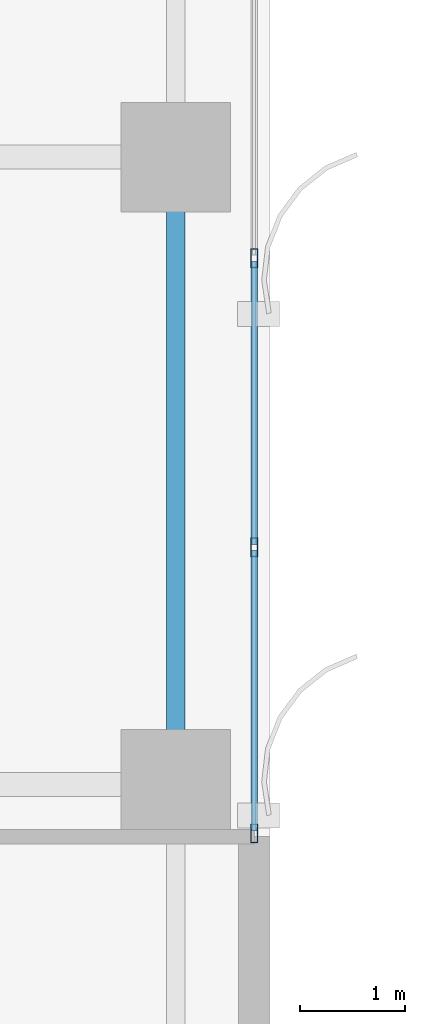
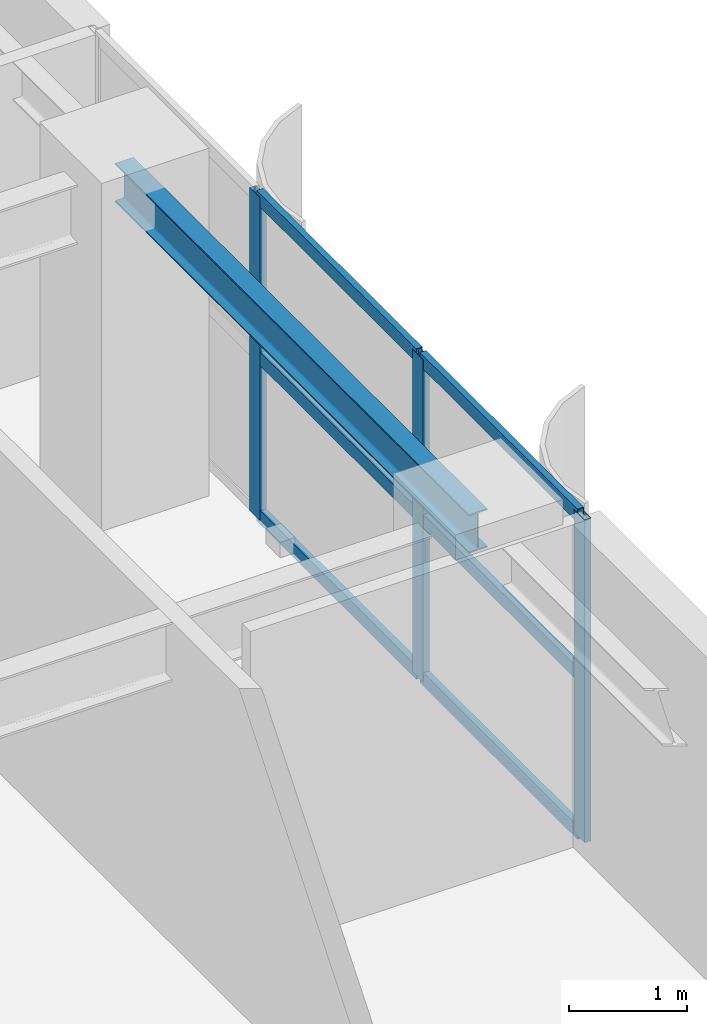
# One storey, part 7 of 21: 9 members, 1 beam, 1 element without a shape of its own.
"""IFC4 building model written with IfcOpenShell, lengths in metres."""

from ifc_helpers import new_model, si_unit, direction, frame, origin, origin_2d, place, context, subcontext, project, spatial, hollow_rectangle, i_section, extrude, source, transform, mapped, material, layer, layer_set, material_profile, profile_set, type_object, element, aggregate, save


model = new_model("IFC4")

# Units and contexts
model_context = context("Model", 3, precision=1e-05, world=origin(), true_north=direction((0.0, 1.0)))
body_context = subcontext(model_context, "Body", "Model", "MODEL_VIEW")
ifc_project = project(units=[si_unit("LENGTHUNIT", "METRE"), si_unit("AREAUNIT", "SQUARE_METRE"), si_unit("VOLUMEUNIT", "CUBIC_METRE"), si_unit("PLANEANGLEUNIT", "RADIAN"), si_unit("MASSUNIT", "GRAM", prefix="KILO")], contexts=[model_context])

# Site, building, storey
site_placement = place(None, origin())
site = spatial("IfcSite", under=ifc_project, at=site_placement, CompositionType="ELEMENT")
building_placement = place(site_placement, origin())
building = spatial("IfcBuilding", under=site, at=building_placement, Name="Khoralis Quay Care Tower", CompositionType="ELEMENT")
storey_placement = place(building_placement, frame((0.0, 0.0, 112.5)))
storey = spatial("IfcBuildingStorey", under=building, at=storey_placement, Name="L29", CompositionType="ELEMENT", Elevation=112.5)

# Beam
ifc_material_1 = material(Name="Steel S355", Category="steel")
ifc_material_profile_1 = material_profile(ifc_material_1, i_section(OverallWidth=0.179931640625, OverallDepth=0.39990234375, WebThickness=0.008544921875, FlangeThickness=0.013427734375, FilletRadius=0.02099609375, at=origin_2d()), Name="Steel S355")
ifc_profile_set_1 = profile_set([ifc_material_profile_1], Name="Steel S355")
beam_type = type_object("IfcBeamType", Name="BM-IPE400", PredefinedType="SPANDREL", material=ifc_profile_set_1)
shared_shape_1 = source(origin(), body_context, "Body", "SweptSolid", [
    extrude(i_section(OverallWidth=0.179931640625, OverallDepth=0.39990234375, WebThickness=0.008544921875, FlangeThickness=0.013427734375, FilletRadius=0.02099609375, at=origin_2d()), origin(), (0.0, 0.0, 1.0), 6.0),
])
beam_placement = place(storey_placement, frame((44.10009765625, 18.0, 3.139892578125), z_axis=(0.0, 1.0, 0.0), x_axis=(-1.0, 0.0, 0.0)))
element("IfcBeam", 1, at=beam_placement, inside=storey, type_object=beam_type, Name="BM-TSP-L29-18", PredefinedType="SPANDREL", context=body_context, shape_type="MappedRepresentation", body=[
    mapped(shared_shape_1, transform((0.0, 0.0, 0.0), scale=1.0)),
])

# Curtain wall, members
ifc_material_2 = material(Name="Pale anodised aluminium", Category="aluminium")
ifc_layer = layer(ifc_material_2, 0.169921875)
ifc_layer_set = layer_set([ifc_layer], Name="Pale anodised aluminium")
curtain_wall_type = type_object("IfcCurtainWallType", Name="CW-SYS-Z2", PredefinedType="NOTDEFINED", material=ifc_layer_set)
curtain_wall_placement = place(storey_placement, origin())
curtain_wall = element("IfcCurtainWall", 2, at=curtain_wall_placement, inside=storey, type_object=curtain_wall_type, Name="L29 Unitised Curtain Wall CW-L29-P1-E5", PredefinedType="NOTDEFINED")
ifc_material_profile_2 = material_profile(ifc_material_2, hollow_rectangle(XDim=0.06494140625, YDim=0.179931640625, WallThickness=0.00390625, at=origin_2d()), Name="Pale anodised aluminium")
ifc_profile_set_2 = profile_set([ifc_material_profile_2], Name="Pale anodised aluminium")
member_type_1 = type_object("IfcMemberType", Name="CW-MUL-180", PredefinedType="MULLION", material=ifc_profile_set_2)
shared_shape_2 = source(origin(), body_context, "Body", "SweptSolid", [
    extrude(hollow_rectangle(XDim=0.06494140625, YDim=0.179931640625, WallThickness=0.00390625, at=origin_2d()), origin(), (0.0, 0.0, 1.0), 3.340087890625),
])
member_1_placement = place(storey_placement, frame((44.85009765625, 17.530029296875, 0.0), z_axis=(0.0, 0.0, 1.0), x_axis=(-1.0, 0.0, 0.0)))
member_1 = element("IfcMember", 3, at=member_1_placement, type_object=member_type_1, Name="CW2 mullion 1", PredefinedType="MULLION", context=body_context, shape_type="MappedRepresentation", body=[
    mapped(shared_shape_2, transform((0.0, 0.0, 0.0), scale=1.0)),
])
member_2_placement = place(storey_placement, frame((44.85009765625, 20.2666015625, 0.0), z_axis=(0.0, 0.0, 1.0), x_axis=(-1.0, 0.0, 0.0)))
member_2 = element("IfcMember", 4, at=member_2_placement, type_object=member_type_1, Name="CW2 mullion 2", PredefinedType="MULLION", context=body_context, shape_type="MappedRepresentation", body=[
    mapped(shared_shape_2, transform((0.0, 0.0, 0.0), scale=1.0)),
])
member_3_placement = place(storey_placement, frame((44.85009765625, 23.033447265625, 0.0), z_axis=(0.0, 0.0, 1.0), x_axis=(-1.0, 0.0, 0.0)))
member_3 = element("IfcMember", 5, at=member_3_placement, type_object=member_type_1, Name="CW2 mullion 3", PredefinedType="MULLION", context=body_context, shape_type="MappedRepresentation", body=[
    mapped(shared_shape_2, transform((0.0, 0.0, 0.0), scale=1.0)),
])
ifc_material_profile_3 = material_profile(ifc_material_2, hollow_rectangle(XDim=0.06005859375, YDim=0.139892578125, WallThickness=0.00390625, at=origin_2d()), Name="Pale anodised aluminium")
ifc_profile_set_3 = profile_set([ifc_material_profile_3], Name="Pale anodised aluminium")
member_type_2 = type_object("IfcMemberType", Name="CW-TRN-140", PredefinedType="USERDEFINED", material=ifc_profile_set_3)
shared_shape_3 = source(origin(), body_context, "Body", "SweptSolid", [
    extrude(hollow_rectangle(XDim=0.06005859375, YDim=0.139892578125, WallThickness=0.00390625, at=origin_2d()), origin(), (0.0, 0.0, 1.0), 2.676513671875),
])
member_4_placement = place(storey_placement, frame((44.85009765625, 17.56005859375, 0.030029296875), z_axis=(0.0, 1.0, 0.0), x_axis=(-1.0, 0.0, 0.0)))
member_4 = element("IfcMember", 6, at=member_4_placement, type_object=member_type_2, Name="CW2 transom 1.1", ObjectType="TRANSOM", PredefinedType="USERDEFINED", context=body_context, shape_type="MappedRepresentation", body=[
    mapped(shared_shape_3, transform((0.0, 0.0, 0.0), scale=1.0)),
])
member_5_placement = place(storey_placement, frame((44.85009765625, 17.56005859375, 1.669921875), z_axis=(0.0, 1.0, 0.0), x_axis=(-1.0, 0.0, 0.0)))
member_5 = element("IfcMember", 7, at=member_5_placement, type_object=member_type_2, Name="CW2 transom 1.2", ObjectType="TRANSOM", PredefinedType="USERDEFINED", context=body_context, shape_type="MappedRepresentation", body=[
    mapped(shared_shape_3, transform((0.0, 0.0, 0.0), scale=1.0)),
])
member_6_placement = place(storey_placement, frame((44.85009765625, 17.56005859375, 3.31005859375), z_axis=(0.0, 1.0, 0.0), x_axis=(-1.0, 0.0, 0.0)))
member_6 = element("IfcMember", 8, at=member_6_placement, type_object=member_type_2, Name="CW2 transom 1.3", ObjectType="TRANSOM", PredefinedType="USERDEFINED", context=body_context, shape_type="MappedRepresentation", body=[
    mapped(shared_shape_3, transform((0.0, 0.0, 0.0), scale=1.0)),
])
shared_shape_4 = source(origin(), body_context, "Body", "SweptSolid", [
    extrude(hollow_rectangle(XDim=0.06005859375, YDim=0.139892578125, WallThickness=0.00390625, at=origin_2d()), origin(), (0.0, 0.0, 1.0), 2.706787109375),
])
member_7_placement = place(storey_placement, frame((44.85009765625, 20.296630859375, 0.030029296875), z_axis=(0.0, 1.0, 0.0), x_axis=(-1.0, 0.0, 0.0)))
member_7 = element("IfcMember", 9, at=member_7_placement, type_object=member_type_2, Name="CW2 transom 2.1", ObjectType="TRANSOM", PredefinedType="USERDEFINED", context=body_context, shape_type="MappedRepresentation", body=[
    mapped(shared_shape_4, transform((0.0, 0.0, 0.0), scale=1.0)),
])
member_8_placement = place(storey_placement, frame((44.85009765625, 20.296630859375, 1.669921875), z_axis=(0.0, 1.0, 0.0), x_axis=(-1.0, 0.0, 0.0)))
member_8 = element("IfcMember", 10, at=member_8_placement, type_object=member_type_2, Name="CW2 transom 2.2", ObjectType="TRANSOM", PredefinedType="USERDEFINED", context=body_context, shape_type="MappedRepresentation", body=[
    mapped(shared_shape_4, transform((0.0, 0.0, 0.0), scale=1.0)),
])
member_9_placement = place(storey_placement, frame((44.85009765625, 20.296630859375, 3.31005859375), z_axis=(0.0, 1.0, 0.0), x_axis=(-1.0, 0.0, 0.0)))
member_9 = element("IfcMember", 11, at=member_9_placement, type_object=member_type_2, Name="CW2 transom 2.3", ObjectType="TRANSOM", PredefinedType="USERDEFINED", context=body_context, shape_type="MappedRepresentation", body=[
    mapped(shared_shape_4, transform((0.0, 0.0, 0.0), scale=1.0)),
])
aggregate(curtain_wall, [member_1, member_2, member_3, member_4, member_5, member_6, member_7, member_8, member_9])

save(model, "model.ifc")
